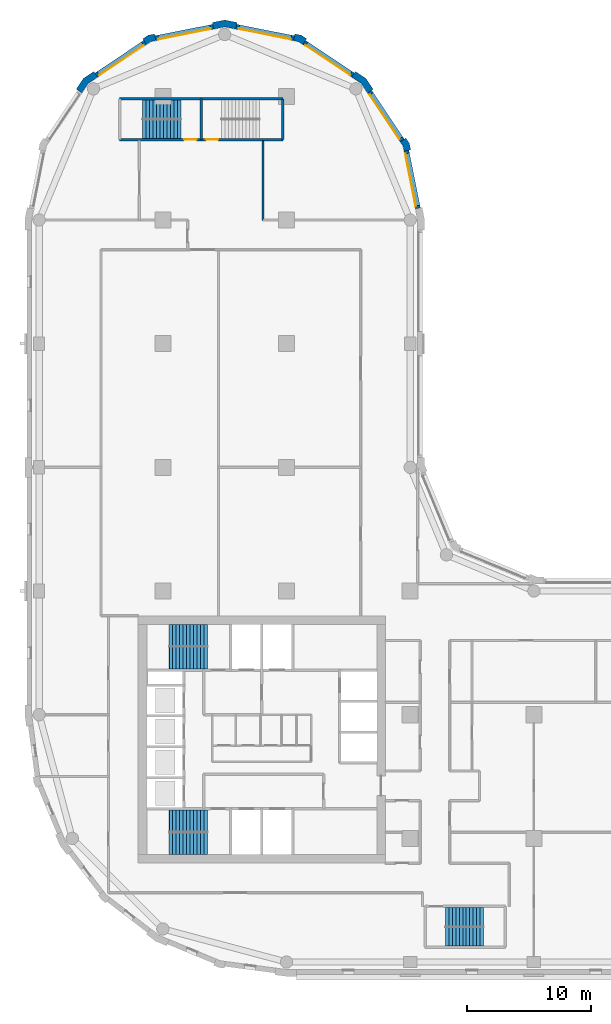
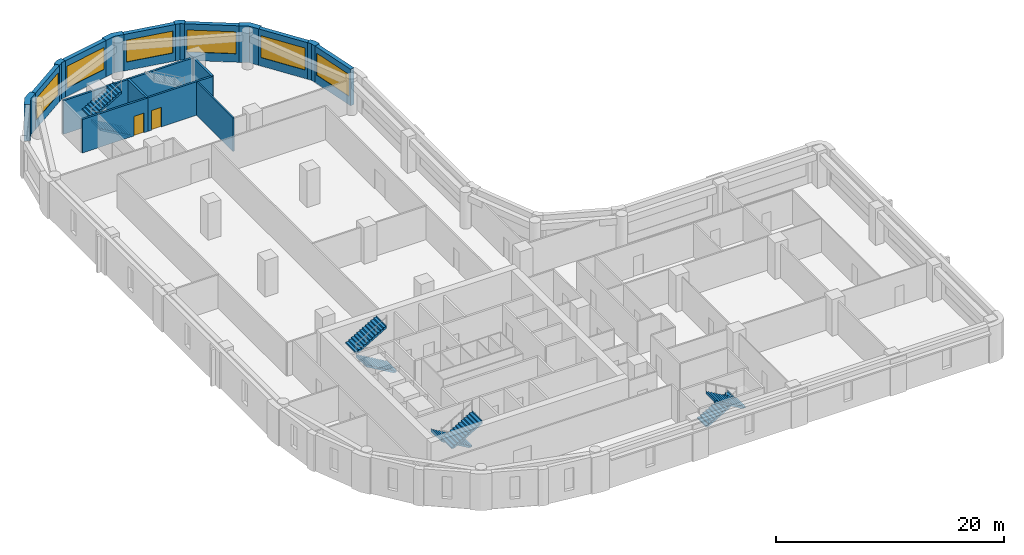
# One storey, part 7 of 10: 19 walls, 8 stair flights, 6 windows, 2 doors, 8 openings, 4 elements without a shape of their own.
"""IFC4 building model written with IfcOpenShell, lengths in metres."""

import ifcopenshell
import ifcopenshell.guid

model = None  # the IFC model being written
_history = None  # IfcOwnerHistory: only IFC2X3 demands one
_inside = {}  # id of a spatial element -> (the spatial element, [elements in it])
_under = {}  # id of a project, library or spatial element -> (it, [spatial elements below it])
_declared = {}  # id of a project -> (the project, [libraries it declares])
_typed = {}  # id of a type object -> (the type object, [elements of that type])
_made_of = {}  # id of a material, layer set ... -> (it, [elements and type objects made of it])


def new_model(schema):
    """Start an empty IFC model of exactly this schema.

    Asked for "IFC4X3", IfcOpenShell would pick the latest addendum, in which some entities
    have other attributes; the version numbers below select the first issue.
    IFC2X3 requires an IfcOwnerHistory on every rooted entity: one is made here for all.
    """
    global model, _history
    if schema == "IFC4X3":
        model = ifcopenshell.file(schema_version=(4, 3, 0, 0))
    else:
        model = ifcopenshell.file(schema=schema)
    _inside.clear()
    _under.clear()
    _declared.clear()
    _typed.clear()
    _made_of.clear()
    _history = None
    if model.schema == "IFC2X3":
        org = make("IfcOrganization", Name="unknown")
        user = make(
            "IfcPersonAndOrganization",
            ThePerson=make("IfcPerson", FamilyName="unknown"),
            TheOrganization=org,
        )
        app = make(
            "IfcApplication",
            ApplicationDeveloper=org,
            Version="unknown",
            ApplicationFullName="unknown",
            ApplicationIdentifier="unknown",
        )
        _history = make(
            "IfcOwnerHistory",
            OwningUser=user,
            OwningApplication=app,
            ChangeAction="ADDED",
            CreationDate=0,
        )
    return model


def make(cls, **values):
    """One entity of the class cls with the attributes given. An attribute that is None is left unset."""
    return model.create_entity(
        cls, **{name: value for name, value in values.items() if value is not None}
    )


def rooted(cls, **values):
    """An entity with a GlobalId (a new one), such as an element, a storey or a relation."""
    return make(cls, GlobalId=ifcopenshell.guid.new(), OwnerHistory=_history, **values)


def si_unit(unit_type, name, prefix=None):
    """IfcSIUnit, for example si_unit("LENGTHUNIT", "METRE", prefix="MILLI")."""
    return make("IfcSIUnit", UnitType=unit_type, Prefix=prefix, Name=name)


def assignment(units):
    """IfcUnitAssignment: the units of a project."""
    return None if units is None else make("IfcUnitAssignment", Units=units)


def point(xyz):
    """IfcCartesianPoint."""
    return None if xyz is None else make("IfcCartesianPoint", Coordinates=xyz)


def direction(xyz):
    """IfcDirection."""
    return None if xyz is None else make("IfcDirection", DirectionRatios=xyz)


def frame(location, z_axis=None, x_axis=None):
    """IfcAxis2Placement3D, a coordinate frame: its origin and axes. An axis left out is left unset."""
    return make(
        "IfcAxis2Placement3D",
        Location=point(location),
        Axis=direction(z_axis),
        RefDirection=direction(x_axis),
    )


def frame_2d(location, x_axis=None):
    """IfcAxis2Placement2D, a coordinate frame in the plane: its origin and x axis."""
    return make(
        "IfcAxis2Placement2D", Location=point(location), RefDirection=direction(x_axis)
    )


def origin():
    """The frame at (0, 0, 0) with its axes left unset."""
    return frame((0.0, 0.0, 0.0))


def place(relative_to, where):
    """IfcLocalPlacement: puts the frame where relative to a parent placement (None: the world)."""
    return make(
        "IfcLocalPlacement", PlacementRelTo=relative_to, RelativePlacement=where
    )


def context(
    kind, dimensions, precision=None, world=None, true_north=None, identifier=None
):
    """IfcGeometricRepresentationContext, for example the 3D "Model" context."""
    return make(
        "IfcGeometricRepresentationContext",
        ContextIdentifier=identifier,
        ContextType=kind,
        CoordinateSpaceDimension=dimensions,
        Precision=precision,
        WorldCoordinateSystem=world,
        TrueNorth=true_north,
    )


def subcontext(parent, identifier, kind, view, scale=None):
    """IfcGeometricRepresentationSubContext, for example "Body" below "Model"."""
    return make(
        "IfcGeometricRepresentationSubContext",
        ContextIdentifier=identifier,
        ContextType=kind,
        ParentContext=parent,
        TargetScale=scale,
        TargetView=view,
    )


def project(units=None, contexts=None):
    """IfcProject with its units and contexts."""
    return rooted(
        "IfcProject",
        Name="project",
        RepresentationContexts=contexts,
        UnitsInContext=assignment(units),
    )


def spatial(cls, under=None, at=None, **own):
    """A site, building, storey or space (cls), placed at a placement, below another one or the project."""
    s = rooted(cls, ObjectPlacement=at, **own)
    if under is not None:
        _under.setdefault(under.id(), (under, []))[1].append(s)
    return s


def polyline(points):
    """IfcPolyline through the points."""
    return make("IfcPolyline", Points=[point(p) for p in points])


def profile(cls, at=None, kind="AREA", **sizes):
    """A parametric profile (cls). Its sizes go by their IFC names, for example OverallWidth=200.0."""
    return make(cls, ProfileType=kind, Position=at, **sizes)


def rectangle(**sizes):
    """IfcRectangleProfileDef."""
    return profile("IfcRectangleProfileDef", **sizes)


def outline(outer, holes=None, kind="AREA"):
    """IfcArbitraryClosedProfileDef: a profile drawn as a closed curve; with holes, ...WithVoids."""
    if holes is None:
        return make("IfcArbitraryClosedProfileDef", ProfileType=kind, OuterCurve=outer)
    return make(
        "IfcArbitraryProfileDefWithVoids",
        ProfileType=kind,
        OuterCurve=outer,
        InnerCurves=holes,
    )


def extrude(swept, where, along, depth):
    """IfcExtrudedAreaSolid: the profile swept, set in the frame where, extruded along a direction by depth."""
    return make(
        "IfcExtrudedAreaSolid",
        SweptArea=swept,
        Position=where,
        ExtrudedDirection=direction(along),
        Depth=depth,
    )


def shape(context_of_items, identifier, shape_type, items):
    """IfcShapeRepresentation: the items that make up one representation, for example the "Body"."""
    return make(
        "IfcShapeRepresentation",
        ContextOfItems=context_of_items,
        RepresentationIdentifier=identifier,
        RepresentationType=shape_type,
        Items=items,
    )


def material(Name=None, Category=None):
    """IfcMaterial."""
    return make("IfcMaterial", Name=Name, Category=Category)


def layer(
    of_material, thickness, ventilated=None, Name=None, Category=None, Priority=None
):
    """IfcMaterialLayer: one layer of a wall or slab, of a material (None: an air gap)."""
    return make(
        "IfcMaterialLayer",
        Material=of_material,
        LayerThickness=thickness,
        IsVentilated=ventilated,
        Name=Name,
        Category=Category,
        Priority=Priority,
    )


def layer_set(layers, Name=None):
    """IfcMaterialLayerSet."""
    return make("IfcMaterialLayerSet", MaterialLayers=layers, LayerSetName=Name)


def made_of(thing, what):
    """Note that an element or type object is made of a material, layer set ...; save() writes the relation."""
    if what is not None:
        _made_of.setdefault(what.id(), (what, []))[1].append(thing)
    return thing


def type_object(cls, material=None, **own):
    """A type object (cls), such as IfcWallType, which elements share."""
    return made_of(rooted(cls, **own), material)


def element(
    cls,
    number,
    at=None,
    inside=None,
    cuts=None,
    type_object=None,
    material=None,
    context=None,
    identifier="Body",
    shape_type=None,
    held_by="IfcProductDefinitionShape",
    body=None,
    shapes=None,
    **own,
):
    """One element of the class cls, such as IfcWall. Its Tag is "e" and its number.

    at: its placement. inside: the storey or other place that contains it. cuts: it is an
    opening in that element (IfcRelVoidsElement). A single representation is given by context,
    identifier, shape_type and body (its items); several are given by shapes. held_by: the class
    of the entity that holds the representations. save() writes the other relations.
    """
    e = rooted(cls, Tag="e%d" % number, ObjectPlacement=at, **own)
    if body is not None:
        shapes = [shape(context, identifier, shape_type, body)]
    if shapes is not None:
        e.Representation = make(held_by, Representations=shapes)
    if inside is not None:
        _inside.setdefault(inside.id(), (inside, []))[1].append(e)
    if cuts is not None:
        rooted(
            "IfcRelVoidsElement", RelatingBuildingElement=cuts, RelatedOpeningElement=e
        )
    if type_object is not None:
        _typed.setdefault(type_object.id(), (type_object, []))[1].append(e)
    return made_of(e, material)


def fill(opening, filler):
    """IfcRelFillsElement: the door or window that sits in an opening."""
    return rooted(
        "IfcRelFillsElement",
        RelatingOpeningElement=opening,
        RelatedBuildingElement=filler,
    )


def aggregate(whole, parts):
    """IfcRelAggregates: a whole, such as a stair, and the parts it consists of."""
    return rooted("IfcRelAggregates", RelatingObject=whole, RelatedObjects=parts)


def save(model, path):
    """Write the relations noted so far, then the file.

    IfcRelAggregates (storeys below a building ...), IfcRelContainedInSpatialStructure (elements
    in a storey), IfcRelDefinesByType, IfcRelAssociatesMaterial and IfcRelDeclares: one each for
    every whole, place, type object, material and project.
    """
    for whole, parts in _under.values():
        aggregate(whole, parts)
    for where, things in _inside.values():
        rooted(
            "IfcRelContainedInSpatialStructure",
            RelatedElements=things,
            RelatingStructure=where,
        )
    for kind, things in _typed.values():
        rooted("IfcRelDefinesByType", RelatedObjects=things, RelatingType=kind)
    for what, things in _made_of.values():
        rooted("IfcRelAssociatesMaterial", RelatedObjects=things, RelatingMaterial=what)
    for by, libraries in _declared.values():
        rooted("IfcRelDeclares", RelatingContext=by, RelatedDefinitions=libraries)
    model.write(path)


model = new_model("IFC4")

# Units and contexts
model_context = context("Model", 3, precision=1e-05, world=origin(), true_north=direction((0.0, 1.0)))
body_context = subcontext(model_context, "Body", "Model", "MODEL_VIEW")
ifc_project = project(units=[si_unit("LENGTHUNIT", "METRE"), si_unit("AREAUNIT", "SQUARE_METRE"), si_unit("VOLUMEUNIT", "CUBIC_METRE"), si_unit("PLANEANGLEUNIT", "RADIAN"), si_unit("MASSUNIT", "GRAM", prefix="KILO")], contexts=[model_context])

# Site, building, storey
site_placement = place(None, origin())
site = spatial("IfcSite", under=ifc_project, at=site_placement, CompositionType="ELEMENT")
building_placement = place(site_placement, origin())
building = spatial("IfcBuilding", under=site, at=building_placement, Name="Qaws Garden Tower", CompositionType="ELEMENT")
storey_placement = place(building_placement, frame((0.0, 0.0, 186.300048828125)))
storey = spatial("IfcBuildingStorey", under=building, at=storey_placement, Name="L45", CompositionType="ELEMENT", Elevation=186.300048828125)

# Wall, opening, window
ifc_material_1 = material(Name="Clay facing brick masonry", Category="masonry")
ifc_layer_1 = layer(ifc_material_1, 0.39990234375)
ifc_layer_set_1 = layer_set([ifc_layer_1], Name="Clay facing brick masonry")
wall_type_1 = type_object("IfcWallType", Name="Brick infill wall 400", PredefinedType="SOLIDWALL", material=ifc_layer_set_1)
wall_1_placement = place(storey_placement, frame((30.628662109375, 60.940673828125, 0.0), z_axis=(0.0, 0.0, 1.0), x_axis=(-0.195098533057, 0.98078364709, 0.0)))
wall_1 = element("IfcWall", 1, at=wall_1_placement, inside=storey, type_object=wall_type_1, Name="E-L45-infill-13", PredefinedType="SOLIDWALL", context=body_context, shape_type="SweptSolid", body=[
    extrude(rectangle(XDim=4.752685546875, YDim=0.39990234375, at=frame_2d((2.37646484375, 0.0))), origin(), (0.0, 0.0, 1.0), 3.89990234375),
])
opening_1_placement = place(wall_1_placement, frame((0.226318359375, 0.0, 0.89990234375)))
opening_1 = element("IfcOpeningElement", 2, at=opening_1_placement, cuts=wall_1, Name="Opening W06", PredefinedType="OPENING", context=body_context, shape_type="SweptSolid", body=[
    extrude(rectangle(XDim=4.300048828125, YDim=2.35009765625, at=frame_2d((2.14990234375, 1.175048828125))), frame((0.0, 0.2099609375, 0.0), z_axis=(0.0, -1.0, 0.0), x_axis=(1.0, 0.0, 0.0)), (0.0, 0.0, 1.0), 0.419921875),
])
ifc_material_2 = material(Name="Aluminium framed window, clear glazing", Category="aluminium")
window_type = type_object("IfcWindowType", Name="Ribbon window 4300 x 2350", PartitioningType="DOUBLE_PANEL_VERTICAL", PredefinedType="WINDOW", material=ifc_material_2)
window_1_placement = place(opening_1_placement, origin())
window_1 = element("IfcWindow", 3, at=window_1_placement, inside=storey, type_object=window_type, Name="E-L45-window-13-0", OverallHeight=2.35009765625, OverallWidth=4.300048828125, PartitioningType="SINGLE_PANEL", PredefinedType="WINDOW", context=body_context, shape_type="SweptSolid", body=[
    extrude(rectangle(XDim=4.300048828125, YDim=2.35009765625, at=frame_2d((2.14990234375, 1.175048828125))), frame((0.0, 0.159912109375, 0.0), z_axis=(0.0, -1.0, 0.0), x_axis=(1.0, 0.0, 0.0)), (0.0, 0.0, 1.0), 0.06005859375),
])
fill(opening_1, window_1)

wall_2_placement = place(storey_placement, frame((29.356689453125, 66.43408203125, 0.0), z_axis=(0.0, 0.0, 1.0), x_axis=(-0.555541552266, 0.831488775454, 0.0)))
wall_2 = element("IfcWall", 4, at=wall_2_placement, inside=storey, type_object=wall_type_1, Name="E-L45-infill-14", PredefinedType="SOLIDWALL", context=body_context, shape_type="SweptSolid", body=[
    extrude(rectangle(XDim=4.752685546875, YDim=0.39990234375, at=frame_2d((2.37646484375, 0.0))), origin(), (0.0, 0.0, 1.0), 3.89990234375),
])
opening_2_placement = place(wall_2_placement, frame((0.226318359375, 0.0, 0.89990234375)))
opening_2 = element("IfcOpeningElement", 5, at=opening_2_placement, cuts=wall_2, Name="Opening W06", PredefinedType="OPENING", context=body_context, shape_type="SweptSolid", body=[
    extrude(rectangle(XDim=4.300048828125, YDim=2.35009765625, at=frame_2d((2.14990234375, 1.175048828125))), frame((0.0, 0.2099609375, 0.0), z_axis=(0.0, -1.0, 0.0), x_axis=(1.0, 0.0, 0.0)), (0.0, 0.0, 1.0), 0.419921875),
])
window_2_placement = place(opening_2_placement, origin())
window_2 = element("IfcWindow", 6, at=window_2_placement, inside=storey, type_object=window_type, Name="E-L45-window-14-0", OverallHeight=2.35009765625, OverallWidth=4.300048828125, PartitioningType="SINGLE_PANEL", PredefinedType="WINDOW", context=body_context, shape_type="SweptSolid", body=[
    extrude(rectangle(XDim=4.300048828125, YDim=2.35009765625, at=frame_2d((2.14990234375, 1.175048828125))), frame((0.0, 0.159912109375, 0.0), z_axis=(0.0, -1.0, 0.0), x_axis=(1.0, 0.0, 0.0)), (0.0, 0.0, 1.0), 0.06005859375),
])
fill(opening_2, window_2)

wall_3_placement = place(storey_placement, frame((25.385986328125, 71.71630859375, 0.0), z_axis=(0.0, 0.0, 1.0), x_axis=(-0.831488775454, 0.555541552266, 0.0)))
wall_3 = element("IfcWall", 7, at=wall_3_placement, inside=storey, type_object=wall_type_1, Name="E-L45-infill-15", PredefinedType="SOLIDWALL", context=body_context, shape_type="SweptSolid", body=[
    extrude(rectangle(XDim=4.752685546875, YDim=0.39990234375, at=frame_2d((2.37646484375, 0.0))), origin(), (0.0, 0.0, 1.0), 3.89990234375),
])
opening_3_placement = place(wall_3_placement, frame((0.226318359375, 0.0, 0.89990234375)))
opening_3 = element("IfcOpeningElement", 8, at=opening_3_placement, cuts=wall_3, Name="Opening W06", PredefinedType="OPENING", context=body_context, shape_type="SweptSolid", body=[
    extrude(rectangle(XDim=4.300048828125, YDim=2.35009765625, at=frame_2d((2.14990234375, 1.175048828125))), frame((0.0, 0.2099609375, 0.0), z_axis=(0.0, -1.0, 0.0), x_axis=(1.0, 0.0, 0.0)), (0.0, 0.0, 1.0), 0.419921875),
])
window_3_placement = place(opening_3_placement, origin())
window_3 = element("IfcWindow", 9, at=window_3_placement, inside=storey, type_object=window_type, Name="E-L45-window-15-0", OverallHeight=2.35009765625, OverallWidth=4.300048828125, PartitioningType="SINGLE_PANEL", PredefinedType="WINDOW", context=body_context, shape_type="SweptSolid", body=[
    extrude(rectangle(XDim=4.300048828125, YDim=2.35009765625, at=frame_2d((2.14990234375, 1.175048828125))), frame((0.0, 0.159912109375, 0.0), z_axis=(0.0, -1.0, 0.0), x_axis=(1.0, 0.0, 0.0)), (0.0, 0.0, 1.0), 0.06005859375),
])
fill(opening_3, window_3)

wall_4_placement = place(storey_placement, frame((20.60205078125, 74.701416015625, 0.0), z_axis=(0.0, 0.0, 1.0), x_axis=(-0.98078364709, 0.195098533057, 0.0)))
wall_4 = element("IfcWall", 10, at=wall_4_placement, inside=storey, type_object=wall_type_1, Name="E-L45-infill-16", PredefinedType="SOLIDWALL", context=body_context, shape_type="SweptSolid", body=[
    extrude(rectangle(XDim=4.752685546875, YDim=0.39990234375, at=frame_2d((2.37646484375, 0.0))), origin(), (0.0, 0.0, 1.0), 3.89990234375),
])
opening_4_placement = place(wall_4_placement, frame((0.226318359375, 0.0, 0.89990234375)))
opening_4 = element("IfcOpeningElement", 11, at=opening_4_placement, cuts=wall_4, Name="Opening W06", PredefinedType="OPENING", context=body_context, shape_type="SweptSolid", body=[
    extrude(rectangle(XDim=4.300048828125, YDim=2.35009765625, at=frame_2d((2.14990234375, 1.175048828125))), frame((0.0, 0.2099609375, 0.0), z_axis=(0.0, -1.0, 0.0), x_axis=(1.0, 0.0, 0.0)), (0.0, 0.0, 1.0), 0.419921875),
])
window_4_placement = place(opening_4_placement, origin())
window_4 = element("IfcWindow", 12, at=window_4_placement, inside=storey, type_object=window_type, Name="E-L45-window-16-0", OverallHeight=2.35009765625, OverallWidth=4.300048828125, PartitioningType="SINGLE_PANEL", PredefinedType="WINDOW", context=body_context, shape_type="SweptSolid", body=[
    extrude(rectangle(XDim=4.300048828125, YDim=2.35009765625, at=frame_2d((2.14990234375, 1.175048828125))), frame((0.0, 0.159912109375, 0.0), z_axis=(0.0, -1.0, 0.0), x_axis=(1.0, 0.0, 0.0)), (0.0, 0.0, 1.0), 0.06005859375),
])
fill(opening_4, window_4)

wall_5_placement = place(storey_placement, frame((14.059326171875, 75.628662109375, 0.0), z_axis=(0.0, 0.0, 1.0), x_axis=(-0.98078364709, -0.195098533057, 0.0)))
wall_5 = element("IfcWall", 13, at=wall_5_placement, inside=storey, type_object=wall_type_1, Name="E-L45-infill-17", PredefinedType="SOLIDWALL", context=body_context, shape_type="SweptSolid", body=[
    extrude(rectangle(XDim=4.752685546875, YDim=0.39990234375, at=frame_2d((2.37646484375, 0.0))), origin(), (0.0, 0.0, 1.0), 3.89990234375),
])
opening_5_placement = place(wall_5_placement, frame((0.226318359375, 0.0, 0.89990234375)))
opening_5 = element("IfcOpeningElement", 14, at=opening_5_placement, cuts=wall_5, Name="Opening W06", PredefinedType="OPENING", context=body_context, shape_type="SweptSolid", body=[
    extrude(rectangle(XDim=4.300048828125, YDim=2.35009765625, at=frame_2d((2.14990234375, 1.175048828125))), frame((0.0, 0.2099609375, 0.0), z_axis=(0.0, -1.0, 0.0), x_axis=(1.0, 0.0, 0.0)), (0.0, 0.0, 1.0), 0.419921875),
])
window_5_placement = place(opening_5_placement, origin())
window_5 = element("IfcWindow", 15, at=window_5_placement, inside=storey, type_object=window_type, Name="E-L45-window-17-0", OverallHeight=2.35009765625, OverallWidth=4.300048828125, PartitioningType="SINGLE_PANEL", PredefinedType="WINDOW", context=body_context, shape_type="SweptSolid", body=[
    extrude(rectangle(XDim=4.300048828125, YDim=2.35009765625, at=frame_2d((2.14990234375, 1.175048828125))), frame((0.0, 0.159912109375, 0.0), z_axis=(0.0, -1.0, 0.0), x_axis=(1.0, 0.0, 0.0)), (0.0, 0.0, 1.0), 0.06005859375),
])
fill(opening_5, window_5)

wall_6_placement = place(storey_placement, frame((8.56591796875, 74.356689453125, 0.0), z_axis=(0.0, 0.0, 1.0), x_axis=(-0.831488775454, -0.555541552266, 0.0)))
wall_6 = element("IfcWall", 16, at=wall_6_placement, inside=storey, type_object=wall_type_1, Name="E-L45-infill-18", PredefinedType="SOLIDWALL", context=body_context, shape_type="SweptSolid", body=[
    extrude(rectangle(XDim=4.752685546875, YDim=0.39990234375, at=frame_2d((2.37646484375, 0.0))), origin(), (0.0, 0.0, 1.0), 3.89990234375),
])
opening_6_placement = place(wall_6_placement, frame((0.226318359375, 0.0, 0.89990234375)))
opening_6 = element("IfcOpeningElement", 17, at=opening_6_placement, cuts=wall_6, Name="Opening W06", PredefinedType="OPENING", context=body_context, shape_type="SweptSolid", body=[
    extrude(rectangle(XDim=4.300048828125, YDim=2.35009765625, at=frame_2d((2.14990234375, 1.175048828125))), frame((0.0, 0.2099609375, 0.0), z_axis=(0.0, -1.0, 0.0), x_axis=(1.0, 0.0, 0.0)), (0.0, 0.0, 1.0), 0.419921875),
])
window_6_placement = place(opening_6_placement, origin())
window_6 = element("IfcWindow", 18, at=window_6_placement, inside=storey, type_object=window_type, Name="E-L45-window-18-0", OverallHeight=2.35009765625, OverallWidth=4.300048828125, PartitioningType="SINGLE_PANEL", PredefinedType="WINDOW", context=body_context, shape_type="SweptSolid", body=[
    extrude(rectangle(XDim=4.300048828125, YDim=2.35009765625, at=frame_2d((2.14990234375, 1.175048828125))), frame((0.0, 0.159912109375, 0.0), z_axis=(0.0, -1.0, 0.0), x_axis=(1.0, 0.0, 0.0)), (0.0, 0.0, 1.0), 0.06005859375),
])
fill(opening_6, window_6)

# Walls
ifc_material_3 = material(Name="Clay facing brick masonry", Category="masonry")
ifc_layer_2 = layer(ifc_material_3, 0.550048828125)
ifc_layer_set_2 = layer_set([ifc_layer_2], Name="Clay facing brick masonry")
wall_type_2 = type_object("IfcWallType", Name="Brick kink pier 550 x 600", PredefinedType="SOLIDWALL", material=ifc_layer_set_2)
placement = place(storey_placement, origin())
element("IfcWall", 19, at=placement, inside=storey, type_object=wall_type_2, Name="E-L45-pier-14", PredefinedType="SOLIDWALL", context=body_context, shape_type="SweptSolid", body=[
    extrude(outline(polyline([(29.8974609375, 65.64111328125), (30.044677734375, 65.67041015625), (29.94140625, 66.18896484375), (29.647705078125, 66.628662109375), (29.52294921875, 66.545166015625), (29.1904296875, 66.322998046875), (29.42333984375, 65.974365234375), (29.505126953125, 65.56298828125), (29.8974609375, 65.64111328125)])), origin(), (0.0, 0.0, 1.0), 3.89990234375),
])
element("IfcWall", 20, at=placement, inside=storey, type_object=wall_type_2, Name="E-L45-pier-16", PredefinedType="SOLIDWALL", context=body_context, shape_type="SweptSolid", body=[
    extrude(outline(polyline([(21.545166015625, 74.52294921875), (21.628662109375, 74.647705078125), (21.18896484375, 74.94140625), (20.67041015625, 75.044677734375), (20.64111328125, 74.8974609375), (20.56298828125, 74.505126953125), (20.974365234375, 74.42333984375), (21.322998046875, 74.1904296875), (21.545166015625, 74.52294921875)])), origin(), (0.0, 0.0, 1.0), 3.89990234375),
])
element("IfcWall", 21, at=placement, inside=storey, type_object=wall_type_2, Name="E-L45-pier-18", PredefinedType="SOLIDWALL", context=body_context, shape_type="SweptSolid", body=[
    extrude(outline(polyline([(9.35888671875, 74.8974609375), (9.32958984375, 75.044677734375), (8.81103515625, 74.94140625), (8.371337890625, 74.647705078125), (8.454833984375, 74.52294921875), (8.677001953125, 74.1904296875), (9.025634765625, 74.42333984375), (9.43701171875, 74.505126953125), (9.35888671875, 74.8974609375)])), origin(), (0.0, 0.0, 1.0), 3.89990234375),
])
ifc_material_4 = material(Name="Clay facing brick masonry", Category="masonry")
ifc_layer_3 = layer(ifc_material_4, 0.550048828125)
ifc_layer_set_3 = layer_set([ifc_layer_3], Name="Clay facing brick masonry")
wall_type_3 = type_object("IfcWallType", Name="Brick pier 550 x 1600", PredefinedType="SOLIDWALL", material=ifc_layer_set_3)
element("IfcWall", 22, at=placement, inside=storey, type_object=wall_type_3, Name="E-L45-pier-15", PredefinedType="SOLIDWALL", context=body_context, shape_type="SweptSolid", body=[
    extrude(outline(polyline([(26.882568359375, 70.4970703125), (27.00732421875, 70.580322265625), (26.435791015625, 71.435791015625), (25.580322265625, 72.00732421875), (25.4970703125, 71.882568359375), (25.274658203125, 71.550048828125), (26.0390625, 71.0390625), (26.550048828125, 70.274658203125), (26.882568359375, 70.4970703125)])), origin(), (0.0, 0.0, 1.0), 3.89990234375),
])
element("IfcWall", 23, at=placement, inside=storey, type_object=wall_type_3, Name="E-L45-pier-17", PredefinedType="SOLIDWALL", context=body_context, shape_type="SweptSolid", body=[
    extrude(outline(polyline([(15.979736328125, 75.82470703125), (16.009033203125, 75.971923828125), (15.0, 76.172607421875), (13.990966796875, 75.971923828125), (14.020263671875, 75.82470703125), (14.098388671875, 75.432373046875), (15.0, 75.61181640625), (15.901611328125, 75.432373046875), (15.979736328125, 75.82470703125)])), origin(), (0.0, 0.0, 1.0), 3.89990234375),
])
element("IfcWall", 24, at=placement, inside=storey, type_object=wall_type_3, Name="E-L45-pier-19", PredefinedType="SOLIDWALL", context=body_context, shape_type="SweptSolid", body=[
    extrude(outline(polyline([(4.5029296875, 71.882568359375), (4.419677734375, 72.00732421875), (3.564208984375, 71.435791015625), (2.99267578125, 70.580322265625), (3.117431640625, 70.4970703125), (3.449951171875, 70.274658203125), (3.9609375, 71.0390625), (4.725341796875, 71.550048828125), (4.5029296875, 71.882568359375)])), origin(), (0.0, 0.0, 1.0), 3.89990234375),
])

# Wall, opening, door
ifc_material_5 = material(Name="Concrete C70", Category="concrete")
ifc_layer_4 = layer(ifc_material_5, 0.199951171875)
ifc_layer_set_4 = layer_set([ifc_layer_4], Name="Concrete C70")
wall_type_4 = type_object("IfcWallType", Name="Core shaft wall 200 C70", PredefinedType="SHEAR", material=ifc_layer_set_4)
wall_13_placement = place(storey_placement, frame((6.5, 66.5, 0.0), z_axis=(0.0, 0.0, 1.0), x_axis=(1.0, 0.0, 0.0)))
wall_13 = element("IfcWall", 25, at=wall_13_placement, inside=storey, type_object=wall_type_4, Name="Shaft wall", PredefinedType="SHEAR", context=body_context, shape_type="SweptSolid", body=[
    extrude(rectangle(XDim=6.60009765625, YDim=0.199951171875, at=frame_2d((3.300048828125, 0.0))), origin(), (0.0, 0.0, 1.0), 3.579833984375),
])
opening_7_placement = place(wall_13_placement, frame((5.22509765625, 0.0, 0.0)))
opening_7 = element("IfcOpeningElement", 26, at=opening_7_placement, cuts=wall_13, Name="Opening SD13", PredefinedType="OPENING", context=body_context, shape_type="SweptSolid", body=[
    extrude(rectangle(XDim=1.0, YDim=2.10009765625, at=frame_2d((0.5, 1.050048828125))), frame((0.0, 0.10986328125, 0.0), z_axis=(0.0, -1.0, 0.0), x_axis=(1.0, 0.0, 0.0)), (0.0, 0.0, 1.0), 0.219970703125),
])
ifc_material_6 = material(Name="Steel S235", Category="steel")
door_type = type_object("IfcDoorType", Name="Stair door 1000x2100", OperationType="SINGLE_SWING_RIGHT", PredefinedType="DOOR", material=ifc_material_6)
door_1_placement = place(opening_7_placement, origin())
door_1 = element("IfcDoor", 27, at=door_1_placement, inside=storey, type_object=door_type, Name="Stair 6 door", OperationType="SINGLE_SWING_RIGHT", OverallHeight=2.10009765625, OverallWidth=1.0, PredefinedType="DOOR", context=body_context, shape_type="SweptSolid", body=[
    extrude(rectangle(XDim=1.0, YDim=2.10009765625, at=frame_2d((0.5, 1.050048828125))), frame((0.0, 0.02490234375, 0.0), z_axis=(0.0, -1.0, 0.0), x_axis=(1.0, 0.0, 0.0)), (0.0, 0.0, 1.0), 0.050048828125),
])
fill(opening_7, door_1)

wall_14_placement = place(storey_placement, frame((13.10009765625, 66.5, 0.0), z_axis=(0.0, 0.0, 1.0), x_axis=(1.0, 0.0, 0.0)))
wall_14 = element("IfcWall", 28, at=wall_14_placement, inside=storey, type_object=wall_type_4, Name="Shaft wall", PredefinedType="SHEAR", context=body_context, shape_type="SweptSolid", body=[
    extrude(rectangle(XDim=6.599853515625, YDim=0.199951171875, at=frame_2d((3.2998046875, 0.0))), origin(), (0.0, 0.0, 1.0), 3.579833984375),
])
opening_8_placement = place(wall_14_placement, frame((0.375, 0.0, 0.0)))
opening_8 = element("IfcOpeningElement", 29, at=opening_8_placement, cuts=wall_14, Name="Opening SD14", PredefinedType="OPENING", context=body_context, shape_type="SweptSolid", body=[
    extrude(rectangle(XDim=1.0, YDim=2.10009765625, at=frame_2d((0.5, 1.050048828125))), frame((0.0, 0.10986328125, 0.0), z_axis=(0.0, -1.0, 0.0), x_axis=(1.0, 0.0, 0.0)), (0.0, 0.0, 1.0), 0.219970703125),
])
door_2_placement = place(opening_8_placement, origin())
door_2 = element("IfcDoor", 30, at=door_2_placement, inside=storey, type_object=door_type, Name="Stair 7 door", OperationType="SINGLE_SWING_LEFT", OverallHeight=2.10009765625, OverallWidth=1.0, PredefinedType="DOOR", context=body_context, shape_type="SweptSolid", body=[
    extrude(rectangle(XDim=1.0, YDim=2.10009765625, at=frame_2d((0.5, 1.050048828125))), frame((0.0, 0.02490234375, 0.0), z_axis=(0.0, -1.0, 0.0), x_axis=(1.0, 0.0, 0.0)), (0.0, 0.0, 1.0), 0.050048828125),
])
fill(opening_8, door_2)

# Walls
wall_15_placement = place(storey_placement, frame((6.5, 69.800048828125, 0.0), z_axis=(0.0, 0.0, 1.0), x_axis=(1.0, 0.0, 0.0)))
element("IfcWall", 31, at=wall_15_placement, inside=storey, type_object=wall_type_4, Name="Shaft wall", PredefinedType="SHEAR", context=body_context, shape_type="SweptSolid", body=[
    extrude(rectangle(XDim=6.60009765625, YDim=0.199951171875, at=frame_2d((3.300048828125, 0.0))), origin(), (0.0, 0.0, 1.0), 3.579833984375),
])
wall_16_placement = place(storey_placement, frame((13.10009765625, 69.800048828125, 0.0), z_axis=(0.0, 0.0, 1.0), x_axis=(1.0, 0.0, 0.0)))
element("IfcWall", 32, at=wall_16_placement, inside=storey, type_object=wall_type_4, Name="Shaft wall", PredefinedType="SHEAR", context=body_context, shape_type="SweptSolid", body=[
    extrude(rectangle(XDim=6.599853515625, YDim=0.199951171875, at=frame_2d((3.2998046875, 0.0))), origin(), (0.0, 0.0, 1.0), 3.579833984375),
])
for number, where, z_axis, x_axis, name in (
    (33, (13.10009765625, 66.5, 0.0), (0.0, 0.0, 1.0), (0.0, 1.0, 0.0), "Shaft wall"),
    (34, (19.699951171875, 66.5, 0.0), (0.0, 0.0, 1.0), (0.0, 1.0, 0.0), "Shaft wall"),
):
    element("IfcWall", number, at=place(storey_placement, frame(where, z_axis=z_axis, x_axis=x_axis)), inside=storey, type_object=wall_type_4, Name=name, PredefinedType="SHEAR", context=body_context, shape_type="SweptSolid", body=[
        extrude(rectangle(XDim=3.300048828125, YDim=0.199951171875, at=frame_2d((1.64990234375, 0.0))), origin(), (0.0, 0.0, 1.0), 3.579833984375),
    ])
ifc_material_7 = material(Name="Gypsum board partition")
ifc_layer_5 = layer(ifc_material_7, 0.14990234375)
ifc_layer_set_5 = layer_set([ifc_layer_5], Name="Gypsum board partition")
wall_type_5 = type_object("IfcWallType", Name="PARTITION 150 EI 60", PredefinedType="PARTITIONING", material=ifc_layer_set_5)
wall_17_placement = place(storey_placement, frame((18.10009765625, 60.0, 0.0), z_axis=(0.0, 0.0, 1.0), x_axis=(0.0, 1.0, 0.0)))
element("IfcWall", 35, at=wall_17_placement, inside=storey, type_object=wall_type_5, Name="O-L45-wall-013", PredefinedType="PARTITIONING", context=body_context, shape_type="SweptSolid", body=[
    extrude(rectangle(XDim=6.39990234375, YDim=0.14990234375, at=frame_2d((3.199951171875, 0.0))), origin(), (0.0, 0.0, 1.0), 3.579833984375),
])

# Stair, stair flights
ifc_material_8 = material(Name="Concrete C40", Category="concrete")
stair_type_1 = type_object("IfcStairType", Name="Exit stair 1350", PredefinedType="HALF_TURN_STAIR", material=ifc_material_8)
stair_1 = element("IfcStair", 36, at=placement, inside=storey, type_object=stair_type_1, Name="Stair 5", PredefinedType="HALF_TURN_STAIR")
ifc_material_9 = material(Name="Concrete C40", Category="concrete")
stair_flight_type_1 = type_object("IfcStairFlightType", Name="Stair flight 1350", PredefinedType="STRAIGHT", material=ifc_material_9)
stair_flight_1_placement = place(storey_placement, frame((32.85009765625, 3.625, 0.0), z_axis=(0.0, 0.0, 1.0), x_axis=(1.0, 0.0, 0.0)))
stair_flight_1 = element("IfcStairFlight", 37, at=stair_flight_1_placement, type_object=stair_flight_type_1, Name="ST5 flight 1", NumberOfRisers=12, NumberOfTreads=11, PredefinedType="STRAIGHT", RiserHeight=0.1625, TreadLength=0.28, context=body_context, shape_type="SweptSolid", body=[
    extrude(outline(polyline([(-0.0029296875, 0.0), (-0.0029296875, 0.16259765625), (0.0, 0.16259765625), (0.280029296875, 0.16259765625), (0.280029296875, 0.324951171875), (0.56005859375, 0.324951171875), (0.56005859375, 0.487548828125), (0.840087890625, 0.487548828125), (0.840087890625, 0.64990234375), (1.1201171875, 0.64990234375), (1.1201171875, 0.8125), (1.39990234375, 0.8125), (1.39990234375, 0.97509765625), (1.679931640625, 0.97509765625), (1.679931640625, 1.137451171875), (1.9599609375, 1.137451171875), (1.9599609375, 1.300048828125), (2.239990234375, 1.300048828125), (2.239990234375, 1.46240234375), (2.52001953125, 1.46240234375), (2.52001953125, 1.625), (2.800048828125, 1.625), (2.800048828125, 1.78759765625), (3.080078125, 1.78759765625), (3.080078125, 1.949951171875), (3.0830078125, 1.949951171875), (3.0830078125, 1.6142578125), (3.080078125, 1.6142578125), (0.298583984375, 0.0), (-0.0029296875, 0.0)])), frame((0.0, 0.77490234375, 0.0), z_axis=(0.0, -1.0, 0.0), x_axis=(1.0, 0.0, 0.0)), (0.0, 0.0, 1.0), 1.550048828125),
])
stair_flight_2_placement = place(storey_placement, frame((35.929931640625, 2.074951171875, 1.949951171875), z_axis=(0.0, 0.0, 1.0), x_axis=(-1.0, 0.0, 0.0)))
stair_flight_2 = element("IfcStairFlight", 38, at=stair_flight_2_placement, type_object=stair_flight_type_1, Name="ST5 flight 2", NumberOfRisers=12, NumberOfTreads=11, PredefinedType="STRAIGHT", RiserHeight=0.1625, TreadLength=0.28, context=body_context, shape_type="SweptSolid", body=[
    extrude(outline(polyline([(-0.0029296875, 0.0), (-0.0029296875, 0.16259765625), (0.0, 0.16259765625), (0.280029296875, 0.16259765625), (0.280029296875, 0.324951171875), (0.56005859375, 0.324951171875), (0.56005859375, 0.487548828125), (0.840087890625, 0.487548828125), (0.840087890625, 0.64990234375), (1.1201171875, 0.64990234375), (1.1201171875, 0.8125), (1.39990234375, 0.8125), (1.39990234375, 0.97509765625), (1.679931640625, 0.97509765625), (1.679931640625, 1.137451171875), (1.9599609375, 1.137451171875), (1.9599609375, 1.300048828125), (2.239990234375, 1.300048828125), (2.239990234375, 1.46240234375), (2.52001953125, 1.46240234375), (2.52001953125, 1.625), (2.800048828125, 1.625), (2.800048828125, 1.78759765625), (3.080078125, 1.78759765625), (3.080078125, 1.949951171875), (3.0830078125, 1.949951171875), (3.0830078125, 1.6142578125), (3.080078125, 1.6142578125), (0.298583984375, 0.0), (-0.0029296875, 0.0)])), frame((0.0, 0.77490234375, 0.0), z_axis=(0.0, -1.0, 0.0), x_axis=(1.0, 0.0, 0.0)), (0.0, 0.0, 1.0), 1.550048828125),
])
aggregate(stair_1, [stair_flight_1, stair_flight_2])

stair_2 = element("IfcStair", 39, at=placement, inside=storey, type_object=stair_type_1, Name="Stair 6", PredefinedType="HALF_TURN_STAIR")
stair_flight_3_placement = place(storey_placement, frame((11.449951171875, 67.375, 0.0), z_axis=(0.0, 0.0, 1.0), x_axis=(-1.0, 0.0, 0.0)))
stair_flight_3 = element("IfcStairFlight", 40, at=stair_flight_3_placement, type_object=stair_flight_type_1, Name="ST6 flight 1", NumberOfRisers=12, NumberOfTreads=11, PredefinedType="STRAIGHT", RiserHeight=0.1625, TreadLength=0.28, context=body_context, shape_type="SweptSolid", body=[
    extrude(outline(polyline([(-0.0029296875, 0.0), (-0.0029296875, 0.16259765625), (0.0, 0.16259765625), (0.280029296875, 0.16259765625), (0.280029296875, 0.324951171875), (0.56005859375, 0.324951171875), (0.56005859375, 0.487548828125), (0.840087890625, 0.487548828125), (0.840087890625, 0.64990234375), (1.1201171875, 0.64990234375), (1.1201171875, 0.8125), (1.39990234375, 0.8125), (1.39990234375, 0.97509765625), (1.679931640625, 0.97509765625), (1.679931640625, 1.137451171875), (1.9599609375, 1.137451171875), (1.9599609375, 1.300048828125), (2.239990234375, 1.300048828125), (2.239990234375, 1.46240234375), (2.52001953125, 1.46240234375), (2.52001953125, 1.625), (2.800048828125, 1.625), (2.800048828125, 1.78759765625), (3.080078125, 1.78759765625), (3.080078125, 1.949951171875), (3.0830078125, 1.949951171875), (3.0830078125, 1.6142578125), (3.080078125, 1.6142578125), (0.298583984375, 0.0), (-0.0029296875, 0.0)])), frame((0.0, 0.77490234375, 0.0), z_axis=(0.0, -1.0, 0.0), x_axis=(1.0, 0.0, 0.0)), (0.0, 0.0, 1.0), 1.550048828125),
])
stair_flight_4_placement = place(storey_placement, frame((8.3701171875, 68.925048828125, 1.949951171875), z_axis=(0.0, 0.0, 1.0), x_axis=(1.0, 0.0, 0.0)))
stair_flight_4 = element("IfcStairFlight", 41, at=stair_flight_4_placement, type_object=stair_flight_type_1, Name="ST6 flight 2", NumberOfRisers=12, NumberOfTreads=11, PredefinedType="STRAIGHT", RiserHeight=0.1625, TreadLength=0.28, context=body_context, shape_type="SweptSolid", body=[
    extrude(outline(polyline([(-0.0029296875, 0.0), (-0.0029296875, 0.16259765625), (0.0, 0.16259765625), (0.280029296875, 0.16259765625), (0.280029296875, 0.324951171875), (0.56005859375, 0.324951171875), (0.56005859375, 0.487548828125), (0.840087890625, 0.487548828125), (0.840087890625, 0.64990234375), (1.1201171875, 0.64990234375), (1.1201171875, 0.8125), (1.39990234375, 0.8125), (1.39990234375, 0.97509765625), (1.679931640625, 0.97509765625), (1.679931640625, 1.137451171875), (1.9599609375, 1.137451171875), (1.9599609375, 1.300048828125), (2.239990234375, 1.300048828125), (2.239990234375, 1.46240234375), (2.52001953125, 1.46240234375), (2.52001953125, 1.625), (2.800048828125, 1.625), (2.800048828125, 1.78759765625), (3.080078125, 1.78759765625), (3.080078125, 1.949951171875), (3.0830078125, 1.949951171875), (3.0830078125, 1.6142578125), (3.080078125, 1.6142578125), (0.298583984375, 0.0), (-0.0029296875, 0.0)])), frame((0.0, 0.77490234375, 0.0), z_axis=(0.0, -1.0, 0.0), x_axis=(1.0, 0.0, 0.0)), (0.0, 0.0, 1.0), 1.550048828125),
])
aggregate(stair_2, [stair_flight_3, stair_flight_4])

ifc_material_10 = material(Name="Concrete C40", Category="concrete")
stair_type_2 = type_object("IfcStairType", Name="Exit stair 1500", PredefinedType="HALF_TURN_STAIR", material=ifc_material_10)
stair_3 = element("IfcStair", 42, at=placement, inside=storey, type_object=stair_type_2, Name="Stair 1", PredefinedType="HALF_TURN_STAIR")
ifc_material_11 = material(Name="Concrete C40", Category="concrete")
stair_flight_type_2 = type_object("IfcStairFlightType", Name="Stair flight 1500", PredefinedType="STRAIGHT", material=ifc_material_11)
stair_flight_5_placement = place(storey_placement, frame((13.60009765625, 11.39990234375, 0.0), z_axis=(0.0, 0.0, 1.0), x_axis=(-1.0, 0.0, 0.0)))
stair_flight_5 = element("IfcStairFlight", 43, at=stair_flight_5_placement, type_object=stair_flight_type_2, Name="ST1 flight 1", NumberOfRisers=12, NumberOfTreads=11, PredefinedType="STRAIGHT", RiserHeight=0.1625, TreadLength=0.28, context=body_context, shape_type="SweptSolid", body=[
    extrude(outline(polyline([(-0.0029296875, 0.0), (-0.0029296875, 0.16259765625), (0.0, 0.16259765625), (0.280029296875, 0.16259765625), (0.280029296875, 0.324951171875), (0.56005859375, 0.324951171875), (0.56005859375, 0.487548828125), (0.840087890625, 0.487548828125), (0.840087890625, 0.64990234375), (1.1201171875, 0.64990234375), (1.1201171875, 0.8125), (1.39990234375, 0.8125), (1.39990234375, 0.97509765625), (1.679931640625, 0.97509765625), (1.679931640625, 1.137451171875), (1.9599609375, 1.137451171875), (1.9599609375, 1.300048828125), (2.239990234375, 1.300048828125), (2.239990234375, 1.46240234375), (2.52001953125, 1.46240234375), (2.52001953125, 1.625), (2.800048828125, 1.625), (2.800048828125, 1.78759765625), (3.080078125, 1.78759765625), (3.080078125, 1.949951171875), (3.0830078125, 1.949951171875), (3.0830078125, 1.6142578125), (3.080078125, 1.6142578125), (0.298583984375, 0.0), (-0.0029296875, 0.0)])), frame((0.0, 0.89990234375, 0.0), z_axis=(0.0, -1.0, 0.0), x_axis=(1.0, 0.0, 0.0)), (0.0, 0.0, 1.0), 1.800048828125),
])
stair_flight_6_placement = place(storey_placement, frame((10.52001953125, 9.60009765625, 1.949951171875), z_axis=(0.0, 0.0, 1.0), x_axis=(1.0, 0.0, 0.0)))
stair_flight_6 = element("IfcStairFlight", 44, at=stair_flight_6_placement, type_object=stair_flight_type_2, Name="ST1 flight 2", NumberOfRisers=12, NumberOfTreads=11, PredefinedType="STRAIGHT", RiserHeight=0.1625, TreadLength=0.28, context=body_context, shape_type="SweptSolid", body=[
    extrude(outline(polyline([(-0.0029296875, 0.0), (-0.0029296875, 0.16259765625), (0.0, 0.16259765625), (0.280029296875, 0.16259765625), (0.280029296875, 0.324951171875), (0.56005859375, 0.324951171875), (0.56005859375, 0.487548828125), (0.840087890625, 0.487548828125), (0.840087890625, 0.64990234375), (1.1201171875, 0.64990234375), (1.1201171875, 0.8125), (1.39990234375, 0.8125), (1.39990234375, 0.97509765625), (1.679931640625, 0.97509765625), (1.679931640625, 1.137451171875), (1.9599609375, 1.137451171875), (1.9599609375, 1.300048828125), (2.239990234375, 1.300048828125), (2.239990234375, 1.46240234375), (2.52001953125, 1.46240234375), (2.52001953125, 1.625), (2.800048828125, 1.625), (2.800048828125, 1.78759765625), (3.080078125, 1.78759765625), (3.080078125, 1.949951171875), (3.0830078125, 1.949951171875), (3.0830078125, 1.6142578125), (3.080078125, 1.6142578125), (0.298583984375, 0.0), (-0.0029296875, 0.0)])), frame((0.0, 0.89990234375, 0.0), z_axis=(0.0, -1.0, 0.0), x_axis=(1.0, 0.0, 0.0)), (0.0, 0.0, 1.0), 1.800048828125),
])
aggregate(stair_3, [stair_flight_5, stair_flight_6])

stair_4 = element("IfcStair", 45, at=placement, inside=storey, type_object=stair_type_2, Name="Stair 4", PredefinedType="HALF_TURN_STAIR")
stair_flight_7_placement = place(storey_placement, frame((13.60009765625, 24.60009765625, 0.0), z_axis=(0.0, 0.0, 1.0), x_axis=(-1.0, 0.0, 0.0)))
stair_flight_7 = element("IfcStairFlight", 46, at=stair_flight_7_placement, type_object=stair_flight_type_2, Name="ST4 flight 1", NumberOfRisers=12, NumberOfTreads=11, PredefinedType="STRAIGHT", RiserHeight=0.1625, TreadLength=0.28, context=body_context, shape_type="SweptSolid", body=[
    extrude(outline(polyline([(-0.0029296875, 0.0), (-0.0029296875, 0.16259765625), (0.0, 0.16259765625), (0.280029296875, 0.16259765625), (0.280029296875, 0.324951171875), (0.56005859375, 0.324951171875), (0.56005859375, 0.487548828125), (0.840087890625, 0.487548828125), (0.840087890625, 0.64990234375), (1.1201171875, 0.64990234375), (1.1201171875, 0.8125), (1.39990234375, 0.8125), (1.39990234375, 0.97509765625), (1.679931640625, 0.97509765625), (1.679931640625, 1.137451171875), (1.9599609375, 1.137451171875), (1.9599609375, 1.300048828125), (2.239990234375, 1.300048828125), (2.239990234375, 1.46240234375), (2.52001953125, 1.46240234375), (2.52001953125, 1.625), (2.800048828125, 1.625), (2.800048828125, 1.78759765625), (3.080078125, 1.78759765625), (3.080078125, 1.949951171875), (3.0830078125, 1.949951171875), (3.0830078125, 1.6142578125), (3.080078125, 1.6142578125), (0.298583984375, 0.0), (-0.0029296875, 0.0)])), frame((0.0, 0.89501953125, 0.0), z_axis=(0.0, -1.0, 0.0), x_axis=(1.0, 0.0, 0.0)), (0.0, 0.0, 1.0), 1.7900390625),
])
stair_flight_8_placement = place(storey_placement, frame((10.52001953125, 26.39990234375, 1.949951171875), z_axis=(0.0, 0.0, 1.0), x_axis=(1.0, 0.0, 0.0)))
stair_flight_8 = element("IfcStairFlight", 47, at=stair_flight_8_placement, type_object=stair_flight_type_2, Name="ST4 flight 2", NumberOfRisers=12, NumberOfTreads=11, PredefinedType="STRAIGHT", RiserHeight=0.1625, TreadLength=0.28, context=body_context, shape_type="SweptSolid", body=[
    extrude(outline(polyline([(-0.0029296875, 0.0), (-0.0029296875, 0.16259765625), (0.0, 0.16259765625), (0.280029296875, 0.16259765625), (0.280029296875, 0.324951171875), (0.56005859375, 0.324951171875), (0.56005859375, 0.487548828125), (0.840087890625, 0.487548828125), (0.840087890625, 0.64990234375), (1.1201171875, 0.64990234375), (1.1201171875, 0.8125), (1.39990234375, 0.8125), (1.39990234375, 0.97509765625), (1.679931640625, 0.97509765625), (1.679931640625, 1.137451171875), (1.9599609375, 1.137451171875), (1.9599609375, 1.300048828125), (2.239990234375, 1.300048828125), (2.239990234375, 1.46240234375), (2.52001953125, 1.46240234375), (2.52001953125, 1.625), (2.800048828125, 1.625), (2.800048828125, 1.78759765625), (3.080078125, 1.78759765625), (3.080078125, 1.949951171875), (3.0830078125, 1.949951171875), (3.0830078125, 1.6142578125), (3.080078125, 1.6142578125), (0.298583984375, 0.0), (-0.0029296875, 0.0)])), frame((0.0, 0.89501953125, 0.0), z_axis=(0.0, -1.0, 0.0), x_axis=(1.0, 0.0, 0.0)), (0.0, 0.0, 1.0), 1.7900390625),
])
aggregate(stair_4, [stair_flight_7, stair_flight_8])

save(model, "model.ifc")
